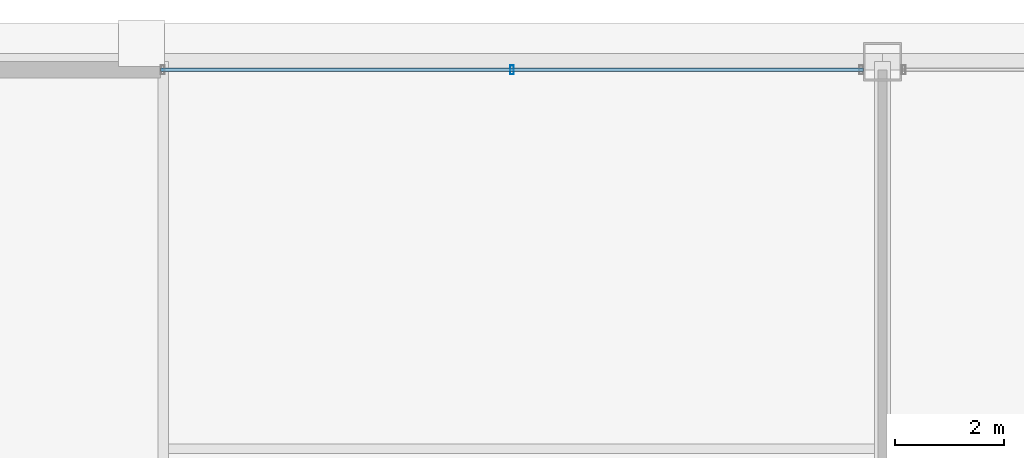
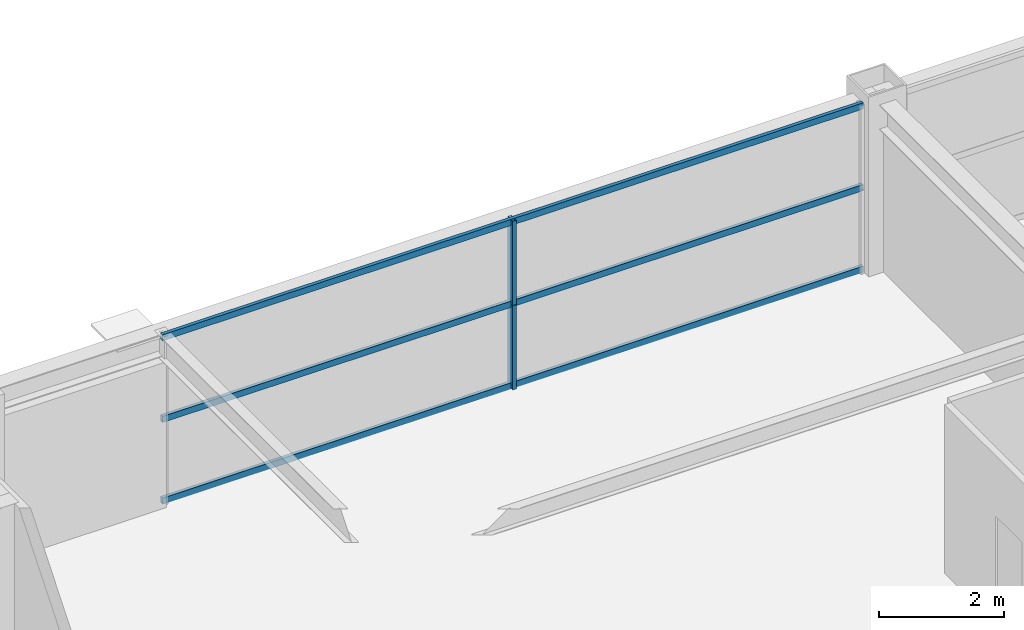
# One storey, part 26 of 36: 5 members, 1 element without a shape of its own.
"""IFC4 building model written with IfcOpenShell, lengths in metres."""

from ifc_helpers import new_model, si_unit, direction, frame, origin, origin_2d, place, context, subcontext, project, spatial, hollow_rectangle, extrude, source, transform, mapped, material, layer, layer_set, material_profile, profile_set, type_object, element, aggregate, save


model = new_model("IFC4")

# Units and contexts
model_context = context("Model", 3, precision=1e-05, world=origin(), true_north=direction((0.0, 1.0)))
body_context = subcontext(model_context, "Body", "Model", "MODEL_VIEW")
ifc_project = project(units=[si_unit("LENGTHUNIT", "METRE"), si_unit("AREAUNIT", "SQUARE_METRE"), si_unit("VOLUMEUNIT", "CUBIC_METRE"), si_unit("PLANEANGLEUNIT", "RADIAN"), si_unit("MASSUNIT", "GRAM", prefix="KILO"), si_unit("THERMODYNAMICTEMPERATUREUNIT", "KELVIN"), si_unit("POWERUNIT", "WATT")], contexts=[model_context])

# Site, building, storey
site_placement = place(None, origin())
site = spatial("IfcSite", under=ifc_project, at=site_placement, CompositionType="ELEMENT")
building_placement = place(site_placement, origin())
building = spatial("IfcBuilding", under=site, at=building_placement, Name="Yuzanri Waterfront Tower", CompositionType="ELEMENT")
storey_placement = place(building_placement, frame((0.0, 0.0, 224.10009765625)))
storey = spatial("IfcBuildingStorey", under=building, at=storey_placement, Name="L59", CompositionType="ELEMENT", Elevation=224.10009765625)

# Curtain wall, members
ifc_material_1 = material(Name="Anodized Architectural Bronze", Category="metal")
ifc_layer = layer(ifc_material_1, 0.159912109375)
ifc_layer_set = layer_set([ifc_layer], Name="Anodized Architectural Bronze")
curtain_wall_type = type_object("IfcCurtainWallType", Name="Anodized Bronze Mid-Rise Residential Acoustic Unitized Curtain Wall 7200", PredefinedType="NOTDEFINED", material=ifc_layer_set)
curtain_wall_placement = place(storey_placement, origin())
curtain_wall = element("IfcCurtainWall", 1, at=curtain_wall_placement, inside=storey, type_object=curtain_wall_type, Name="L59 Curtain Wall CW-L59-NL", PredefinedType="NOTDEFINED")
ifc_material_2 = material(Name="Anodized Architectural Bronze", Category="metal")
ifc_material_profile_1 = material_profile(ifc_material_2, hollow_rectangle(XDim=0.06494140625, YDim=0.159912109375, WallThickness=0.00341796875, at=origin_2d()), Name="CWM 65x160")
ifc_profile_set_1 = profile_set([ifc_material_profile_1], Name="Anodized Architectural Bronze")
member_type_1 = type_object("IfcMemberType", Name="Anodized Bronze Upper-Zone Curtain-Wall Mullion 65x160", PredefinedType="MULLION", material=ifc_profile_set_1)
shared_shape_1 = source(origin(), body_context, "Body", "SweptSolid", [
    extrude(hollow_rectangle(XDim=0.06494140625, YDim=0.159912109375, WallThickness=0.00341796875, at=origin_2d()), origin(), (0.0, 0.0, 1.0), 1.637939453125),
])
member_1_placement = place(storey_placement, frame((30.199951171875, 46.25, 0.0), z_axis=(0.0, 0.0, 1.0), x_axis=(1.0, 0.0, 0.0)))
member_1 = element("IfcMember", 2, at=member_1_placement, type_object=member_type_1, Name="CW-L59-NL Lower Mullion 01", PredefinedType="MULLION", context=body_context, shape_type="MappedRepresentation", body=[
    mapped(shared_shape_1, transform((0.0, 0.0, 0.0), scale=1.0)),
])
member_2_placement = place(storey_placement, frame((30.199951171875, 46.25, 1.641845703125), z_axis=(0.0, 0.0, 1.0), x_axis=(1.0, 0.0, 0.0)))
member_2 = element("IfcMember", 3, at=member_2_placement, type_object=member_type_1, Name="CW-L59-NL Upper Mullion 01", PredefinedType="MULLION", context=body_context, shape_type="MappedRepresentation", body=[
    mapped(shared_shape_1, transform((0.0, 0.0, 0.0), scale=1.0)),
])
ifc_material_3 = material(Name="Anodized Architectural Bronze", Category="metal")
ifc_material_profile_2 = material_profile(ifc_material_3, hollow_rectangle(XDim=0.06494140625, YDim=0.1201171875, WallThickness=0.00341796875, at=origin_2d()), Name="CWT 65x120")
ifc_profile_set_2 = profile_set([ifc_material_profile_2], Name="Anodized Architectural Bronze")
member_type_2 = type_object("IfcMemberType", Name="Anodized Bronze Secondary Curtain-Wall Transom 65x120", PredefinedType="USERDEFINED", material=ifc_profile_set_2)
shared_shape_2 = source(origin(), body_context, "Body", "SweptSolid", [
    extrude(hollow_rectangle(XDim=0.06494140625, YDim=0.1201171875, WallThickness=0.00341796875, at=origin_2d()), origin(), (0.0, 0.0, 1.0), 12.89990234375),
])
member_3_placement = place(storey_placement, frame((23.75, 46.25, 0.0498046875), z_axis=(1.0, 0.0, 0.0), x_axis=(0.0, 1.0, 0.0)))
member_3 = element("IfcMember", 4, at=member_3_placement, type_object=member_type_2, Name="CW-L59-NL Transom 1", ObjectType="TRANSOM", PredefinedType="USERDEFINED", context=body_context, shape_type="MappedRepresentation", body=[
    mapped(shared_shape_2, transform((0.0, 0.0, 0.0), scale=1.0)),
])
member_4_placement = place(storey_placement, frame((23.75, 46.25, 1.639892578125), z_axis=(1.0, 0.0, 0.0), x_axis=(0.0, 1.0, 0.0)))
member_4 = element("IfcMember", 5, at=member_4_placement, type_object=member_type_2, Name="CW-L59-NL Transom 2", ObjectType="TRANSOM", PredefinedType="USERDEFINED", context=body_context, shape_type="MappedRepresentation", body=[
    mapped(shared_shape_2, transform((0.0, 0.0, 0.0), scale=1.0)),
])
member_5_placement = place(storey_placement, frame((23.75, 46.25, 3.22998046875), z_axis=(1.0, 0.0, 0.0), x_axis=(0.0, 1.0, 0.0)))
member_5 = element("IfcMember", 6, at=member_5_placement, type_object=member_type_2, Name="CW-L59-NL Transom 3", ObjectType="TRANSOM", PredefinedType="USERDEFINED", context=body_context, shape_type="MappedRepresentation", body=[
    mapped(shared_shape_2, transform((0.0, 0.0, 0.0), scale=1.0)),
])
aggregate(curtain_wall, [member_1, member_2, member_3, member_4, member_5])

save(model, "model.ifc")
